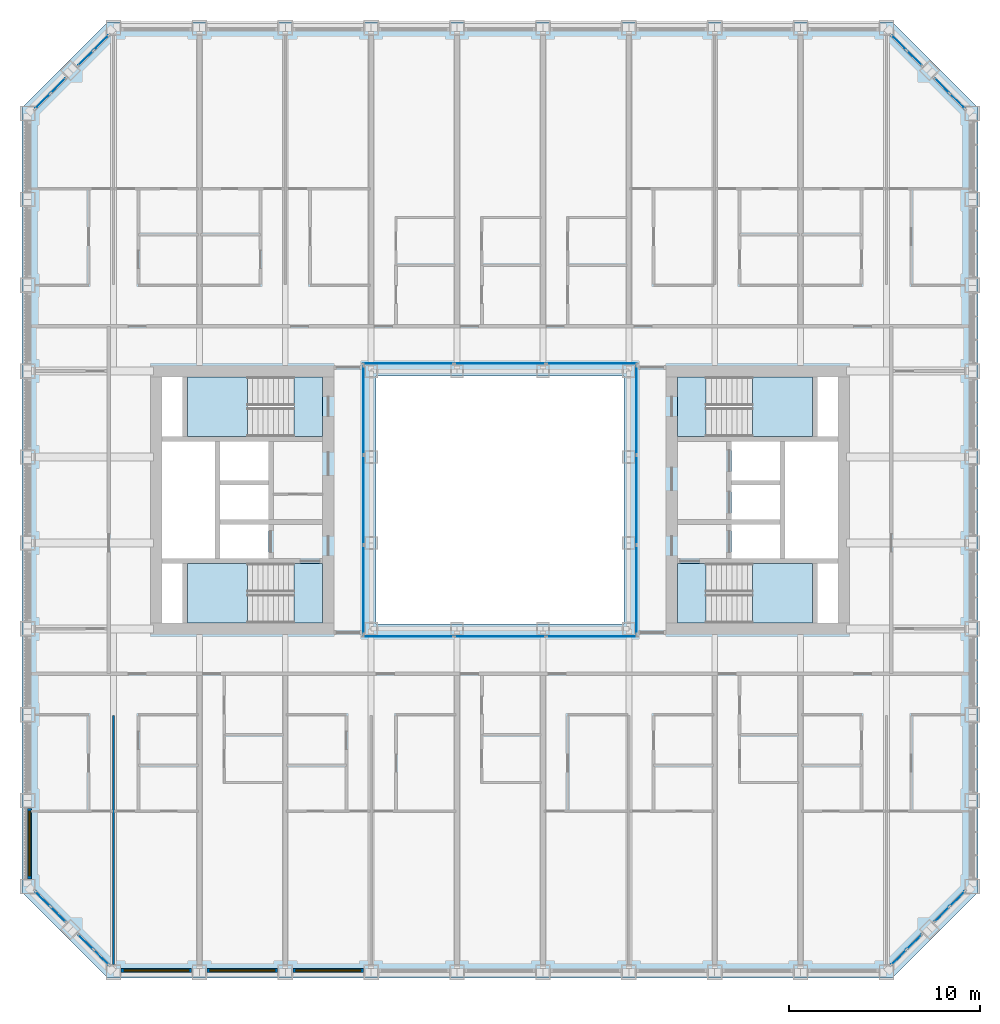
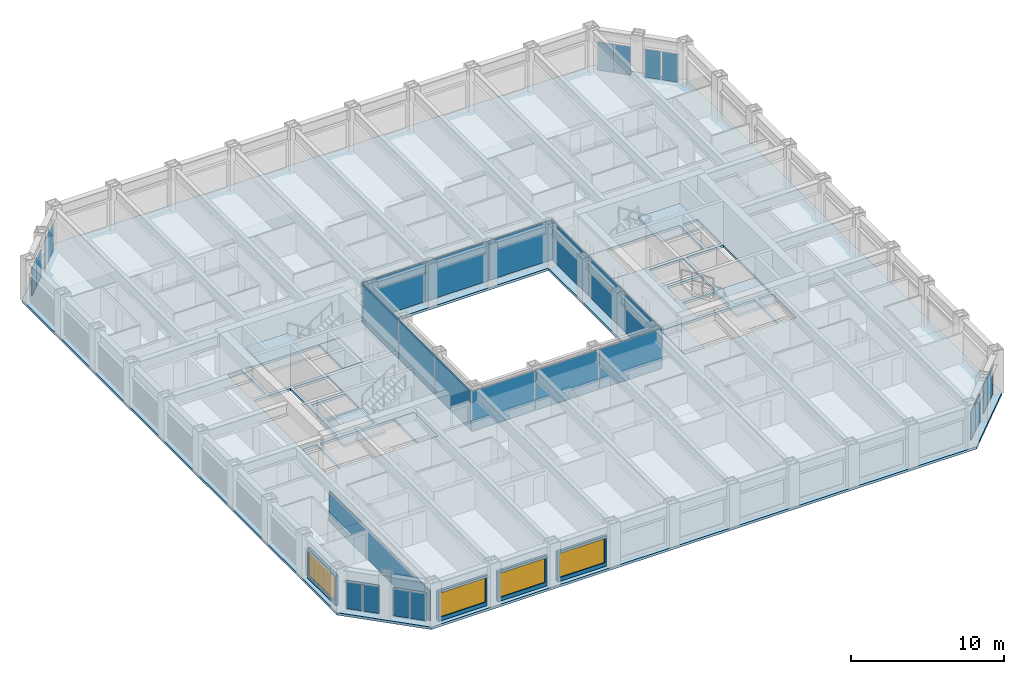
# One storey, part 8 of 21: 28 plates, 9 slabs, 5 walls, 4 windows, 4 openings, 16 elements without a shape of their own.
"""IFC4 building model written with IfcOpenShell, lengths in metres."""

from ifc_helpers import new_model, si_unit, direction, frame, frame_2d, origin, origin_2d, place, context, subcontext, project, spatial, polyline, rectangle, outline, extrude, material, layer, layer_set, type_object, element, fill, aggregate, save


model = new_model("IFC4")

# Units and contexts
model_context = context("Model", 3, precision=1e-05, world=origin(), true_north=direction((0.0, 1.0)))
body_context = subcontext(model_context, "Body", "Model", "MODEL_VIEW")
ifc_project = project(units=[si_unit("LENGTHUNIT", "METRE"), si_unit("AREAUNIT", "SQUARE_METRE"), si_unit("VOLUMEUNIT", "CUBIC_METRE"), si_unit("PLANEANGLEUNIT", "RADIAN"), si_unit("MASSUNIT", "GRAM", prefix="KILO")], contexts=[model_context])

# Site, building, storey
site_placement = place(None, origin())
site = spatial("IfcSite", under=ifc_project, at=site_placement, CompositionType="ELEMENT")
building_placement = place(site_placement, origin())
building = spatial("IfcBuilding", under=site, at=building_placement, Name="Msasa Ring Tower", CompositionType="ELEMENT")
storey_placement = place(building_placement, frame((0.0, 0.0, 37.0)))
storey = spatial("IfcBuildingStorey", under=building, at=storey_placement, Name="L08", CompositionType="ELEMENT", Elevation=37.0)

# Curtain wall, plates
ifc_material_1 = material(Name="Aluminium curtain wall with clear glass", Category="aluminium")
curtain_wall_type_1 = type_object("IfcCurtainWallType", Name="CW-C CHAMFER CORNER CURTAIN WALL", PredefinedType="NOTDEFINED", material=ifc_material_1)
curtain_wall_1_placement = place(storey_placement, origin())
curtain_wall_1 = element("IfcCurtainWall", 1, at=curtain_wall_1_placement, inside=storey, type_object=curtain_wall_type_1, Name="Chamfer corner curtain wall SE L08", PredefinedType="NOTDEFINED")
ifc_material_2 = material(Name="Clear laminated insulating glass unit", Category="glass")
ifc_layer_1 = layer(ifc_material_2, 0.031982421875)
ifc_layer_set_1 = layer_set([ifc_layer_1], Name="CW-C GLASS PANEL 32")
plate_type_1 = type_object("IfcPlateType", Name="CW-C GLASS PANEL 32", PredefinedType="CURTAIN_PANEL", material=ifc_layer_set_1)
plate_1_placement = place(storey_placement, frame((20.896484375, -23.962158203125, 0.06494140625), z_axis=(0.0, 0.0, 1.0), x_axis=(0.707106781187, 0.707106781187, 0.0)))
plate_1 = element("IfcPlate", 2, at=plate_1_placement, type_object=plate_type_1, Name="CW-C panel 1.1", PredefinedType="CURTAIN_PANEL", context=body_context, shape_type="SweptSolid", body=[
    extrude(rectangle(XDim=1.08837890625, YDim=0.031982421875, at=origin_2d()), origin(), (0.0, 0.0, 1.0), 2.2490234375),
])
plate_2_placement = place(storey_placement, frame((21.712158203125, -23.146484375, 0.06494140625), z_axis=(0.0, 0.0, 1.0), x_axis=(0.707106781187, 0.707106781187, 0.0)))
plate_2 = element("IfcPlate", 3, at=plate_2_placement, type_object=plate_type_1, Name="CW-C panel 2.1", PredefinedType="CURTAIN_PANEL", context=body_context, shape_type="SweptSolid", body=[
    extrude(rectangle(XDim=1.08837890625, YDim=0.031982421875, at=origin_2d()), origin(), (0.0, 0.0, 1.0), 2.2490234375),
])
aggregate(curtain_wall_1, [plate_1, plate_2])

curtain_wall_2_placement = place(storey_placement, origin())
curtain_wall_2 = element("IfcCurtainWall", 4, at=curtain_wall_2_placement, inside=storey, type_object=curtain_wall_type_1, Name="Chamfer corner curtain wall SE L08", PredefinedType="NOTDEFINED")
plate_3_placement = place(storey_placement, frame((23.146484375, -21.712158203125, 0.06494140625), z_axis=(0.0, 0.0, 1.0), x_axis=(0.707106781187, 0.707106781187, 0.0)))
plate_3 = element("IfcPlate", 5, at=plate_3_placement, type_object=plate_type_1, Name="CW-C panel 1.1", PredefinedType="CURTAIN_PANEL", context=body_context, shape_type="SweptSolid", body=[
    extrude(rectangle(XDim=1.08837890625, YDim=0.031982421875, at=origin_2d()), origin(), (0.0, 0.0, 1.0), 2.2490234375),
])
plate_4_placement = place(storey_placement, frame((23.962158203125, -20.896484375, 0.06494140625), z_axis=(0.0, 0.0, 1.0), x_axis=(0.707106781187, 0.707106781187, 0.0)))
plate_4 = element("IfcPlate", 6, at=plate_4_placement, type_object=plate_type_1, Name="CW-C panel 2.1", PredefinedType="CURTAIN_PANEL", context=body_context, shape_type="SweptSolid", body=[
    extrude(rectangle(XDim=1.08837890625, YDim=0.031982421875, at=origin_2d()), origin(), (0.0, 0.0, 1.0), 2.2490234375),
])
aggregate(curtain_wall_2, [plate_3, plate_4])

curtain_wall_3_placement = place(storey_placement, origin())
curtain_wall_3 = element("IfcCurtainWall", 7, at=curtain_wall_3_placement, inside=storey, type_object=curtain_wall_type_1, Name="Chamfer corner curtain wall NE L08", PredefinedType="NOTDEFINED")
plate_5_placement = place(storey_placement, frame((21.712158203125, 23.146484375, 0.06494140625), z_axis=(0.0, 0.0, 1.0), x_axis=(-0.707106781187, 0.707106781187, 0.0)))
plate_5 = element("IfcPlate", 8, at=plate_5_placement, type_object=plate_type_1, Name="CW-C panel 1.1", PredefinedType="CURTAIN_PANEL", context=body_context, shape_type="SweptSolid", body=[
    extrude(rectangle(XDim=1.08837890625, YDim=0.031982421875, at=origin_2d()), origin(), (0.0, 0.0, 1.0), 2.2490234375),
])
plate_6_placement = place(storey_placement, frame((20.896484375, 23.962158203125, 0.06494140625), z_axis=(0.0, 0.0, 1.0), x_axis=(-0.707106781187, 0.707106781187, 0.0)))
plate_6 = element("IfcPlate", 9, at=plate_6_placement, type_object=plate_type_1, Name="CW-C panel 2.1", PredefinedType="CURTAIN_PANEL", context=body_context, shape_type="SweptSolid", body=[
    extrude(rectangle(XDim=1.08837890625, YDim=0.031982421875, at=origin_2d()), origin(), (0.0, 0.0, 1.0), 2.2490234375),
])
aggregate(curtain_wall_3, [plate_5, plate_6])

curtain_wall_4_placement = place(storey_placement, origin())
curtain_wall_4 = element("IfcCurtainWall", 10, at=curtain_wall_4_placement, inside=storey, type_object=curtain_wall_type_1, Name="Chamfer corner curtain wall NE L08", PredefinedType="NOTDEFINED")
plate_7_placement = place(storey_placement, frame((23.962158203125, 20.896484375, 0.06494140625), z_axis=(0.0, 0.0, 1.0), x_axis=(-0.707106781187, 0.707106781187, 0.0)))
plate_7 = element("IfcPlate", 11, at=plate_7_placement, type_object=plate_type_1, Name="CW-C panel 1.1", PredefinedType="CURTAIN_PANEL", context=body_context, shape_type="SweptSolid", body=[
    extrude(rectangle(XDim=1.08837890625, YDim=0.031982421875, at=origin_2d()), origin(), (0.0, 0.0, 1.0), 2.2490234375),
])
plate_8_placement = place(storey_placement, frame((23.146484375, 21.712158203125, 0.06494140625), z_axis=(0.0, 0.0, 1.0), x_axis=(-0.707106781187, 0.707106781187, 0.0)))
plate_8 = element("IfcPlate", 12, at=plate_8_placement, type_object=plate_type_1, Name="CW-C panel 2.1", PredefinedType="CURTAIN_PANEL", context=body_context, shape_type="SweptSolid", body=[
    extrude(rectangle(XDim=1.08837890625, YDim=0.031982421875, at=origin_2d()), origin(), (0.0, 0.0, 1.0), 2.2490234375),
])
aggregate(curtain_wall_4, [plate_7, plate_8])

curtain_wall_5_placement = place(storey_placement, origin())
curtain_wall_5 = element("IfcCurtainWall", 13, at=curtain_wall_5_placement, inside=storey, type_object=curtain_wall_type_1, Name="Chamfer corner curtain wall NW L08", PredefinedType="NOTDEFINED")
plate_9_placement = place(storey_placement, frame((-23.146484375, 21.712158203125, 0.06494140625), z_axis=(0.0, 0.0, 1.0), x_axis=(-0.707106781187, -0.707106781187, 0.0)))
plate_9 = element("IfcPlate", 14, at=plate_9_placement, type_object=plate_type_1, Name="CW-C panel 1.1", PredefinedType="CURTAIN_PANEL", context=body_context, shape_type="SweptSolid", body=[
    extrude(rectangle(XDim=1.08837890625, YDim=0.031982421875, at=origin_2d()), origin(), (0.0, 0.0, 1.0), 2.2490234375),
])
plate_10_placement = place(storey_placement, frame((-23.962158203125, 20.896484375, 0.06494140625), z_axis=(0.0, 0.0, 1.0), x_axis=(-0.707106781187, -0.707106781187, 0.0)))
plate_10 = element("IfcPlate", 15, at=plate_10_placement, type_object=plate_type_1, Name="CW-C panel 2.1", PredefinedType="CURTAIN_PANEL", context=body_context, shape_type="SweptSolid", body=[
    extrude(rectangle(XDim=1.08837890625, YDim=0.031982421875, at=origin_2d()), origin(), (0.0, 0.0, 1.0), 2.2490234375),
])
aggregate(curtain_wall_5, [plate_9, plate_10])

curtain_wall_6_placement = place(storey_placement, origin())
curtain_wall_6 = element("IfcCurtainWall", 16, at=curtain_wall_6_placement, inside=storey, type_object=curtain_wall_type_1, Name="Chamfer corner curtain wall NW L08", PredefinedType="NOTDEFINED")
plate_11_placement = place(storey_placement, frame((-20.896484375, 23.962158203125, 0.06494140625), z_axis=(0.0, 0.0, 1.0), x_axis=(-0.707106781187, -0.707106781187, 0.0)))
plate_11 = element("IfcPlate", 17, at=plate_11_placement, type_object=plate_type_1, Name="CW-C panel 1.1", PredefinedType="CURTAIN_PANEL", context=body_context, shape_type="SweptSolid", body=[
    extrude(rectangle(XDim=1.08837890625, YDim=0.031982421875, at=origin_2d()), origin(), (0.0, 0.0, 1.0), 2.2490234375),
])
plate_12_placement = place(storey_placement, frame((-21.712158203125, 23.146484375, 0.06494140625), z_axis=(0.0, 0.0, 1.0), x_axis=(-0.707106781187, -0.707106781187, 0.0)))
plate_12 = element("IfcPlate", 18, at=plate_12_placement, type_object=plate_type_1, Name="CW-C panel 2.1", PredefinedType="CURTAIN_PANEL", context=body_context, shape_type="SweptSolid", body=[
    extrude(rectangle(XDim=1.08837890625, YDim=0.031982421875, at=origin_2d()), origin(), (0.0, 0.0, 1.0), 2.2490234375),
])
aggregate(curtain_wall_6, [plate_11, plate_12])

curtain_wall_7_placement = place(storey_placement, origin())
curtain_wall_7 = element("IfcCurtainWall", 19, at=curtain_wall_7_placement, inside=storey, type_object=curtain_wall_type_1, Name="Chamfer corner curtain wall SW L08", PredefinedType="NOTDEFINED")
plate_13_placement = place(storey_placement, frame((-23.962158203125, -20.896484375, 0.06494140625), z_axis=(0.0, 0.0, 1.0), x_axis=(0.707106781187, -0.707106781187, 0.0)))
plate_13 = element("IfcPlate", 20, at=plate_13_placement, type_object=plate_type_1, Name="CW-C panel 1.1", PredefinedType="CURTAIN_PANEL", context=body_context, shape_type="SweptSolid", body=[
    extrude(rectangle(XDim=1.08837890625, YDim=0.031982421875, at=origin_2d()), origin(), (0.0, 0.0, 1.0), 2.2490234375),
])
plate_14_placement = place(storey_placement, frame((-23.146484375, -21.712158203125, 0.06494140625), z_axis=(0.0, 0.0, 1.0), x_axis=(0.707106781187, -0.707106781187, 0.0)))
plate_14 = element("IfcPlate", 21, at=plate_14_placement, type_object=plate_type_1, Name="CW-C panel 2.1", PredefinedType="CURTAIN_PANEL", context=body_context, shape_type="SweptSolid", body=[
    extrude(rectangle(XDim=1.08837890625, YDim=0.031982421875, at=origin_2d()), origin(), (0.0, 0.0, 1.0), 2.2490234375),
])
aggregate(curtain_wall_7, [plate_13, plate_14])

curtain_wall_8_placement = place(storey_placement, origin())
curtain_wall_8 = element("IfcCurtainWall", 22, at=curtain_wall_8_placement, inside=storey, type_object=curtain_wall_type_1, Name="Chamfer corner curtain wall SW L08", PredefinedType="NOTDEFINED")
plate_15_placement = place(storey_placement, frame((-21.712158203125, -23.146484375, 0.06494140625), z_axis=(0.0, 0.0, 1.0), x_axis=(0.707106781187, -0.707106781187, 0.0)))
plate_15 = element("IfcPlate", 23, at=plate_15_placement, type_object=plate_type_1, Name="CW-C panel 1.1", PredefinedType="CURTAIN_PANEL", context=body_context, shape_type="SweptSolid", body=[
    extrude(rectangle(XDim=1.08837890625, YDim=0.031982421875, at=origin_2d()), origin(), (0.0, 0.0, 1.0), 2.2490234375),
])
plate_16_placement = place(storey_placement, frame((-20.896484375, -23.962158203125, 0.06494140625), z_axis=(0.0, 0.0, 1.0), x_axis=(0.707106781187, -0.707106781187, 0.0)))
plate_16 = element("IfcPlate", 24, at=plate_16_placement, type_object=plate_type_1, Name="CW-C panel 2.1", PredefinedType="CURTAIN_PANEL", context=body_context, shape_type="SweptSolid", body=[
    extrude(rectangle(XDim=1.08837890625, YDim=0.031982421875, at=origin_2d()), origin(), (0.0, 0.0, 1.0), 2.2490234375),
])
aggregate(curtain_wall_8, [plate_15, plate_16])

ifc_material_3 = material(Name="Aluminium curtain wall with clear glass", Category="aluminium")
curtain_wall_type_2 = type_object("IfcCurtainWallType", Name="CW-W LIGHT WELL CURTAIN WALL", PredefinedType="NOTDEFINED", material=ifc_material_3)
curtain_wall_9_placement = place(storey_placement, origin())
curtain_wall_9 = element("IfcCurtainWall", 25, at=curtain_wall_9_placement, inside=storey, type_object=curtain_wall_type_2, Name="Light well curtain wall N L08", PredefinedType="NOTDEFINED")
ifc_material_4 = material(Name="Clear laminated insulating glass unit", Category="glass")
ifc_layer_2 = layer(ifc_material_4, 0.028076171875)
ifc_layer_set_2 = layer_set([ifc_layer_2], Name="CW-W GLASS PANEL 28")
plate_type_2 = type_object("IfcPlateType", Name="CW-W GLASS PANEL 28", PredefinedType="CURTAIN_PANEL", material=ifc_layer_set_2)
plate_17_placement = place(storey_placement, frame((-4.804931640625, 7.14990234375, 0.06005859375), z_axis=(0.0, 0.0, 1.0), x_axis=(1.0, 0.0, 0.0)))
plate_17 = element("IfcPlate", 26, at=plate_17_placement, type_object=plate_type_2, Name="CW-W panel 1.1", PredefinedType="CURTAIN_PANEL", context=body_context, shape_type="SweptSolid", body=[
    extrude(rectangle(XDim=4.72998046875, YDim=0.028076171875, at=origin_2d()), origin(), (0.0, 0.0, 1.0), 3.179931640625),
])
plate_18_placement = place(storey_placement, frame((0.0, 7.14990234375, 0.06005859375), z_axis=(0.0, 0.0, 1.0), x_axis=(1.0, 0.0, 0.0)))
plate_18 = element("IfcPlate", 27, at=plate_18_placement, type_object=plate_type_2, Name="CW-W panel 2.1", PredefinedType="CURTAIN_PANEL", context=body_context, shape_type="SweptSolid", body=[
    extrude(rectangle(XDim=4.760009765625, YDim=0.028076171875, at=origin_2d()), origin(), (0.0, 0.0, 1.0), 3.179931640625),
])
plate_19_placement = place(storey_placement, frame((4.804931640625, 7.14990234375, 0.06005859375), z_axis=(0.0, 0.0, 1.0), x_axis=(1.0, 0.0, 0.0)))
plate_19 = element("IfcPlate", 28, at=plate_19_placement, type_object=plate_type_2, Name="CW-W panel 3.1", PredefinedType="CURTAIN_PANEL", context=body_context, shape_type="SweptSolid", body=[
    extrude(rectangle(XDim=4.72998046875, YDim=0.028076171875, at=origin_2d()), origin(), (0.0, 0.0, 1.0), 3.179931640625),
])
aggregate(curtain_wall_9, [plate_17, plate_18, plate_19])

curtain_wall_10_placement = place(storey_placement, origin())
curtain_wall_10 = element("IfcCurtainWall", 29, at=curtain_wall_10_placement, inside=storey, type_object=curtain_wall_type_2, Name="Light well curtain wall S L08", PredefinedType="NOTDEFINED")
plate_20_placement = place(storey_placement, frame((-4.804931640625, -7.14990234375, 0.06005859375), z_axis=(0.0, 0.0, 1.0), x_axis=(1.0, 0.0, 0.0)))
plate_20 = element("IfcPlate", 30, at=plate_20_placement, type_object=plate_type_2, Name="CW-W panel 1.1", PredefinedType="CURTAIN_PANEL", context=body_context, shape_type="SweptSolid", body=[
    extrude(rectangle(XDim=4.72998046875, YDim=0.028076171875, at=origin_2d()), origin(), (0.0, 0.0, 1.0), 3.179931640625),
])
plate_21_placement = place(storey_placement, frame((0.0, -7.14990234375, 0.06005859375), z_axis=(0.0, 0.0, 1.0), x_axis=(1.0, 0.0, 0.0)))
plate_21 = element("IfcPlate", 31, at=plate_21_placement, type_object=plate_type_2, Name="CW-W panel 2.1", PredefinedType="CURTAIN_PANEL", context=body_context, shape_type="SweptSolid", body=[
    extrude(rectangle(XDim=4.760009765625, YDim=0.028076171875, at=origin_2d()), origin(), (0.0, 0.0, 1.0), 3.179931640625),
])
plate_22_placement = place(storey_placement, frame((4.804931640625, -7.14990234375, 0.06005859375), z_axis=(0.0, 0.0, 1.0), x_axis=(1.0, 0.0, 0.0)))
plate_22 = element("IfcPlate", 32, at=plate_22_placement, type_object=plate_type_2, Name="CW-W panel 3.1", PredefinedType="CURTAIN_PANEL", context=body_context, shape_type="SweptSolid", body=[
    extrude(rectangle(XDim=4.72998046875, YDim=0.028076171875, at=origin_2d()), origin(), (0.0, 0.0, 1.0), 3.179931640625),
])
aggregate(curtain_wall_10, [plate_20, plate_21, plate_22])

curtain_wall_11_placement = place(storey_placement, origin())
curtain_wall_11 = element("IfcCurtainWall", 33, at=curtain_wall_11_placement, inside=storey, type_object=curtain_wall_type_2, Name="Light well curtain wall E L08", PredefinedType="NOTDEFINED")
plate_23_placement = place(storey_placement, frame((7.14990234375, -4.6982421875, 0.06005859375), z_axis=(0.0, 0.0, 1.0), x_axis=(0.0, 1.0, 0.0)))
plate_23 = element("IfcPlate", 34, at=plate_23_placement, type_object=plate_type_2, Name="CW-W panel 1.1", PredefinedType="CURTAIN_PANEL", context=body_context, shape_type="SweptSolid", body=[
    extrude(rectangle(XDim=4.623291015625, YDim=0.028076171875, at=origin_2d()), origin(), (0.0, 0.0, 1.0), 3.179931640625),
])
plate_24_placement = place(storey_placement, frame((7.14990234375, 0.0, 0.06005859375), z_axis=(0.0, 0.0, 1.0), x_axis=(0.0, 1.0, 0.0)))
plate_24 = element("IfcPlate", 35, at=plate_24_placement, type_object=plate_type_2, Name="CW-W panel 2.1", PredefinedType="CURTAIN_PANEL", context=body_context, shape_type="SweptSolid", body=[
    extrude(rectangle(XDim=4.6533203125, YDim=0.028076171875, at=origin_2d()), origin(), (0.0, 0.0, 1.0), 3.179931640625),
])
plate_25_placement = place(storey_placement, frame((7.14990234375, 4.6982421875, 0.06005859375), z_axis=(0.0, 0.0, 1.0), x_axis=(0.0, 1.0, 0.0)))
plate_25 = element("IfcPlate", 36, at=plate_25_placement, type_object=plate_type_2, Name="CW-W panel 3.1", PredefinedType="CURTAIN_PANEL", context=body_context, shape_type="SweptSolid", body=[
    extrude(rectangle(XDim=4.623291015625, YDim=0.028076171875, at=origin_2d()), origin(), (0.0, 0.0, 1.0), 3.179931640625),
])
aggregate(curtain_wall_11, [plate_23, plate_24, plate_25])

curtain_wall_12_placement = place(storey_placement, origin())
curtain_wall_12 = element("IfcCurtainWall", 37, at=curtain_wall_12_placement, inside=storey, type_object=curtain_wall_type_2, Name="Light well curtain wall W L08", PredefinedType="NOTDEFINED")
plate_26_placement = place(storey_placement, frame((-7.14990234375, -4.6982421875, 0.06005859375), z_axis=(0.0, 0.0, 1.0), x_axis=(0.0, 1.0, 0.0)))
plate_26 = element("IfcPlate", 38, at=plate_26_placement, type_object=plate_type_2, Name="CW-W panel 1.1", PredefinedType="CURTAIN_PANEL", context=body_context, shape_type="SweptSolid", body=[
    extrude(rectangle(XDim=4.623291015625, YDim=0.028076171875, at=origin_2d()), origin(), (0.0, 0.0, 1.0), 3.179931640625),
])
plate_27_placement = place(storey_placement, frame((-7.14990234375, 0.0, 0.06005859375), z_axis=(0.0, 0.0, 1.0), x_axis=(0.0, 1.0, 0.0)))
plate_27 = element("IfcPlate", 39, at=plate_27_placement, type_object=plate_type_2, Name="CW-W panel 2.1", PredefinedType="CURTAIN_PANEL", context=body_context, shape_type="SweptSolid", body=[
    extrude(rectangle(XDim=4.6533203125, YDim=0.028076171875, at=origin_2d()), origin(), (0.0, 0.0, 1.0), 3.179931640625),
])
plate_28_placement = place(storey_placement, frame((-7.14990234375, 4.6982421875, 0.06005859375), z_axis=(0.0, 0.0, 1.0), x_axis=(0.0, 1.0, 0.0)))
plate_28 = element("IfcPlate", 40, at=plate_28_placement, type_object=plate_type_2, Name="CW-W panel 3.1", PredefinedType="CURTAIN_PANEL", context=body_context, shape_type="SweptSolid", body=[
    extrude(rectangle(XDim=4.623291015625, YDim=0.028076171875, at=origin_2d()), origin(), (0.0, 0.0, 1.0), 3.179931640625),
])
aggregate(curtain_wall_12, [plate_26, plate_27, plate_28])

# Stair, slabs
ifc_material_5 = material(Name="Concrete C40/50", Category="concrete")
stair_type = type_object("IfcStairType", Name="STC CORE STAIR 20 RISERS 175", PredefinedType="HALF_TURN_STAIR", material=ifc_material_5)
stair_1_placement = place(storey_placement, origin())
stair_1 = element("IfcStair", 41, at=stair_1_placement, inside=storey, type_object=stair_type, Name="Core stair SEA L08", PredefinedType="HALF_TURN_STAIR")
ifc_material_6 = material(Name="Concrete C40/50", Category="concrete")
ifc_layer_3 = layer(ifc_material_6, 0.199951171875)
ifc_layer_set_3 = layer_set([ifc_layer_3], Name="LD1 CORE STAIR LANDING 200")
slab_type_1 = type_object("IfcSlabType", Name="LD1 CORE STAIR LANDING 200", PredefinedType="LANDING", material=ifc_layer_set_3)
slab_1_placement = place(storey_placement, frame((0.0, 0.0, -0.199951171875)))
slab_1 = element("IfcSlab", 42, at=slab_1_placement, type_object=slab_type_1, Name="SEA landing 1", PredefinedType="LANDING", context=body_context, shape_type="SweptSolid", body=[
    extrude(outline(polyline([(9.300048828125, -6.449951171875), (10.800048828125, -6.449951171875), (10.800048828125, -3.324951171875), (9.300048828125, -3.324951171875), (9.300048828125, -6.449951171875)])), origin(), (0.0, 0.0, 1.0), 0.199951171875),
])
slab_2_placement = place(storey_placement, frame((0.0, 0.0, 1.550048828125)))
slab_2 = element("IfcSlab", 43, at=slab_2_placement, type_object=slab_type_1, Name="SEA landing 2", PredefinedType="LANDING", context=body_context, shape_type="SweptSolid", body=[
    extrude(outline(polyline([(13.22998046875, -6.449951171875), (16.375, -6.449951171875), (16.375, -3.324951171875), (13.22998046875, -3.324951171875), (13.22998046875, -6.449951171875)])), origin(), (0.0, 0.0, 1.0), 0.199951171875),
])
aggregate(stair_1, [slab_1, slab_2])

stair_2_placement = place(storey_placement, origin())
stair_2 = element("IfcStair", 44, at=stair_2_placement, inside=storey, type_object=stair_type, Name="Core stair SEB L08", PredefinedType="HALF_TURN_STAIR")
slab_3_placement = place(storey_placement, frame((0.0, 0.0, -0.199951171875)))
slab_3 = element("IfcSlab", 45, at=slab_3_placement, type_object=slab_type_1, Name="SEB landing 1", PredefinedType="LANDING", context=body_context, shape_type="SweptSolid", body=[
    extrude(outline(polyline([(9.300048828125, 3.324951171875), (10.800048828125, 3.324951171875), (10.800048828125, 6.449951171875), (9.300048828125, 6.449951171875), (9.300048828125, 3.324951171875)])), origin(), (0.0, 0.0, 1.0), 0.199951171875),
])
slab_4_placement = place(storey_placement, frame((0.0, 0.0, 1.550048828125)))
slab_4 = element("IfcSlab", 46, at=slab_4_placement, type_object=slab_type_1, Name="SEB landing 2", PredefinedType="LANDING", context=body_context, shape_type="SweptSolid", body=[
    extrude(outline(polyline([(13.22998046875, 3.324951171875), (16.375, 3.324951171875), (16.375, 6.449951171875), (13.22998046875, 6.449951171875), (13.22998046875, 3.324951171875)])), origin(), (0.0, 0.0, 1.0), 0.199951171875),
])
aggregate(stair_2, [slab_3, slab_4])

stair_3_placement = place(storey_placement, origin())
stair_3 = element("IfcStair", 47, at=stair_3_placement, inside=storey, type_object=stair_type, Name="Core stair SWA L08", PredefinedType="HALF_TURN_STAIR")
slab_5_placement = place(storey_placement, frame((0.0, 0.0, -0.199951171875)))
slab_5 = element("IfcSlab", 48, at=slab_5_placement, type_object=slab_type_1, Name="SWA landing 1", PredefinedType="LANDING", context=body_context, shape_type="SweptSolid", body=[
    extrude(outline(polyline([(-10.800048828125, -6.449951171875), (-9.300048828125, -6.449951171875), (-9.300048828125, -3.324951171875), (-10.800048828125, -3.324951171875), (-10.800048828125, -6.449951171875)])), origin(), (0.0, 0.0, 1.0), 0.199951171875),
])
slab_6_placement = place(storey_placement, frame((0.0, 0.0, 1.550048828125)))
slab_6 = element("IfcSlab", 49, at=slab_6_placement, type_object=slab_type_1, Name="SWA landing 2", PredefinedType="LANDING", context=body_context, shape_type="SweptSolid", body=[
    extrude(outline(polyline([(-16.375, -6.449951171875), (-13.22998046875, -6.449951171875), (-13.22998046875, -3.324951171875), (-16.375, -3.324951171875), (-16.375, -6.449951171875)])), origin(), (0.0, 0.0, 1.0), 0.199951171875),
])
aggregate(stair_3, [slab_5, slab_6])

stair_4_placement = place(storey_placement, origin())
stair_4 = element("IfcStair", 50, at=stair_4_placement, inside=storey, type_object=stair_type, Name="Core stair SWB L08", PredefinedType="HALF_TURN_STAIR")
slab_7_placement = place(storey_placement, frame((0.0, 0.0, -0.199951171875)))
slab_7 = element("IfcSlab", 51, at=slab_7_placement, type_object=slab_type_1, Name="SWB landing 1", PredefinedType="LANDING", context=body_context, shape_type="SweptSolid", body=[
    extrude(outline(polyline([(-10.800048828125, 3.324951171875), (-9.300048828125, 3.324951171875), (-9.300048828125, 6.449951171875), (-10.800048828125, 6.449951171875), (-10.800048828125, 3.324951171875)])), origin(), (0.0, 0.0, 1.0), 0.199951171875),
])
slab_8_placement = place(storey_placement, frame((0.0, 0.0, 1.550048828125)))
slab_8 = element("IfcSlab", 52, at=slab_8_placement, type_object=slab_type_1, Name="SWB landing 2", PredefinedType="LANDING", context=body_context, shape_type="SweptSolid", body=[
    extrude(outline(polyline([(-16.375, 3.324951171875), (-13.22998046875, 3.324951171875), (-13.22998046875, 6.449951171875), (-16.375, 6.449951171875), (-16.375, 3.324951171875)])), origin(), (0.0, 0.0, 1.0), 0.199951171875),
])
aggregate(stair_4, [slab_7, slab_8])

# Slab
ifc_material_7 = material(Name="Concrete C40/50", Category="concrete")
ifc_layer_4 = layer(ifc_material_7, 0.199951171875)
ifc_layer_set_4 = layer_set([ifc_layer_4], Name="S3 RESIDENCE FLOOR 200")
slab_type_2 = type_object("IfcSlabType", Name="S3 RESIDENCE FLOOR 200", PredefinedType="FLOOR", material=ifc_layer_set_4)
slab_9_placement = place(storey_placement, frame((0.0, 0.0, -0.199951171875)))
element("IfcSlab", 53, at=slab_9_placement, inside=storey, type_object=slab_type_2, Name="Floor slab L08", PredefinedType="FLOOR", context=body_context, shape_type="SweptSolid", body=[
    extrude(outline(polyline([(-20.550048828125, -25.050048828125), (20.550048828125, -25.050048828125), (25.050048828125, -20.550048828125), (25.050048828125, 20.550048828125), (20.550048828125, 25.050048828125), (-20.550048828125, 25.050048828125), (-25.050048828125, 20.550048828125), (-25.050048828125, -20.550048828125), (-20.550048828125, -25.050048828125)]), holes=[polyline([(-6.5, -6.5), (6.5, -6.5), (6.5, 6.5), (-6.5, 6.5), (-6.5, -6.5)]), polyline([(9.300048828125, -6.449951171875), (16.375, -6.449951171875), (16.375, -3.324951171875), (9.300048828125, -3.324951171875), (9.300048828125, -6.449951171875)]), polyline([(9.300048828125, 3.324951171875), (16.375, 3.324951171875), (16.375, 6.449951171875), (9.300048828125, 6.449951171875), (9.300048828125, 3.324951171875)]), polyline([(12.125, -3.074951171875), (14.675048828125, -3.074951171875), (14.675048828125, -1.27490234375), (12.125, -1.27490234375), (12.125, -3.074951171875)]), polyline([(12.125, -1.02490234375), (14.675048828125, -1.02490234375), (14.675048828125, 0.77490234375), (12.125, 0.77490234375), (12.125, -1.02490234375)]), polyline([(12.125, 1.02490234375), (14.675048828125, 1.02490234375), (14.675048828125, 3.074951171875), (12.125, 3.074951171875), (12.125, 1.02490234375)]), polyline([(16.625, -6.449951171875), (17.699951171875, -6.449951171875), (17.699951171875, -3.324951171875), (16.625, -3.324951171875), (16.625, -6.449951171875)]), polyline([(16.625, 3.324951171875), (17.699951171875, 3.324951171875), (17.699951171875, 6.449951171875), (16.625, 6.449951171875), (16.625, 3.324951171875)]), polyline([(14.925048828125, -3.074951171875), (17.699951171875, -3.074951171875), (17.699951171875, 3.074951171875), (14.925048828125, 3.074951171875), (14.925048828125, -3.074951171875)]), polyline([(-16.375, -6.449951171875), (-9.300048828125, -6.449951171875), (-9.300048828125, -3.324951171875), (-16.375, -3.324951171875), (-16.375, -6.449951171875)]), polyline([(-16.375, 3.324951171875), (-9.300048828125, 3.324951171875), (-9.300048828125, 6.449951171875), (-16.375, 6.449951171875), (-16.375, 3.324951171875)]), polyline([(-14.675048828125, -3.074951171875), (-12.125, -3.074951171875), (-12.125, -1.27490234375), (-14.675048828125, -1.27490234375), (-14.675048828125, -3.074951171875)]), polyline([(-14.675048828125, -1.02490234375), (-12.125, -1.02490234375), (-12.125, 0.77490234375), (-14.675048828125, 0.77490234375), (-14.675048828125, -1.02490234375)]), polyline([(-14.675048828125, 1.02490234375), (-12.125, 1.02490234375), (-12.125, 3.074951171875), (-14.675048828125, 3.074951171875), (-14.675048828125, 1.02490234375)]), polyline([(-17.699951171875, -6.449951171875), (-16.625, -6.449951171875), (-16.625, -3.324951171875), (-17.699951171875, -3.324951171875), (-17.699951171875, -6.449951171875)]), polyline([(-17.699951171875, 3.324951171875), (-16.625, 3.324951171875), (-16.625, 6.449951171875), (-17.699951171875, 6.449951171875), (-17.699951171875, 3.324951171875)]), polyline([(-17.699951171875, -3.074951171875), (-14.925048828125, -3.074951171875), (-14.925048828125, 3.074951171875), (-17.699951171875, 3.074951171875), (-17.699951171875, -3.074951171875)])]), origin(), (0.0, 0.0, 1.0), 0.199951171875),
])

# Wall, opening, window
ifc_material_8 = material(Name="Terracotta rainscreen on blockwork", Category="masonry")
ifc_layer_5 = layer(ifc_material_8, 0.199951171875)
ifc_layer_set_5 = layer_set([ifc_layer_5], Name="FW1 TERRACOTTA-LINED INFILL BAY WALL 200")
wall_type_1 = type_object("IfcWallType", Name="FW1 TERRACOTTA-LINED INFILL BAY WALL 200", PredefinedType="SOLIDWALL", material=ifc_layer_set_5)
wall_1_placement = place(storey_placement, frame((-19.844970703125, -24.64990234375, 0.0), z_axis=(0.0, 0.0, 1.0), x_axis=(1.0, 0.0, 0.0)))
wall_1 = element("IfcWall", 54, at=wall_1_placement, inside=storey, type_object=wall_type_1, Name="Infill bay wall S L08 00", PredefinedType="SOLIDWALL", context=body_context, shape_type="SweptSolid", body=[
    extrude(rectangle(XDim=3.68994140625, YDim=0.199951171875, at=frame_2d((1.844970703125, 0.0))), origin(), (0.0, 0.0, 1.0), 2.37890625),
])
opening_1_placement = place(wall_1_placement, frame((0.14501953125, 0.0, 0.300048828125)))
opening_1 = element("IfcOpeningElement", 55, at=opening_1_placement, cuts=wall_1, Name="Opening WN1", PredefinedType="OPENING", context=body_context, shape_type="SweptSolid", body=[
    extrude(rectangle(XDim=3.39990234375, YDim=1.928955078125, at=frame_2d((1.699951171875, 0.96435546875))), frame((0.0, 0.10986328125, 0.0), z_axis=(0.0, -1.0, 0.0), x_axis=(1.0, 0.0, 0.0)), (0.0, 0.0, 1.0), 0.219970703125),
])
ifc_material_9 = material(Name="Aluminium frame with clear glass", Category="aluminium")
window_type = type_object("IfcWindowType", Name="WN1 RESIDENCE WINDOW 3400x1929", PartitioningType="SINGLE_PANEL", PredefinedType="WINDOW", material=ifc_material_9)
window_1_placement = place(opening_1_placement, origin())
window_1 = element("IfcWindow", 56, at=window_1_placement, inside=storey, type_object=window_type, Name="Window S L08 00", OverallHeight=1.928955078125, OverallWidth=3.39990234375, PartitioningType="SINGLE_PANEL", PredefinedType="WINDOW", context=body_context, shape_type="SweptSolid", body=[
    extrude(rectangle(XDim=3.39990234375, YDim=1.928955078125, at=frame_2d((1.699951171875, 0.96435546875))), frame((0.0, 0.030029296875, 0.0), z_axis=(0.0, -1.0, 0.0), x_axis=(1.0, 0.0, 0.0)), (0.0, 0.0, 1.0), 0.06005859375),
])
fill(opening_1, window_1)

wall_2_placement = place(storey_placement, frame((-15.344970703125, -24.64990234375, 0.0), z_axis=(0.0, 0.0, 1.0), x_axis=(1.0, 0.0, 0.0)))
wall_2 = element("IfcWall", 57, at=wall_2_placement, inside=storey, type_object=wall_type_1, Name="Infill bay wall S L08 01", PredefinedType="SOLIDWALL", context=body_context, shape_type="SweptSolid", body=[
    extrude(rectangle(XDim=3.68994140625, YDim=0.199951171875, at=frame_2d((1.844970703125, 0.0))), origin(), (0.0, 0.0, 1.0), 2.37890625),
])
opening_2_placement = place(wall_2_placement, frame((0.14501953125, 0.0, 0.300048828125)))
opening_2 = element("IfcOpeningElement", 58, at=opening_2_placement, cuts=wall_2, Name="Opening WN1", PredefinedType="OPENING", context=body_context, shape_type="SweptSolid", body=[
    extrude(rectangle(XDim=3.39990234375, YDim=1.928955078125, at=frame_2d((1.699951171875, 0.96435546875))), frame((0.0, 0.10986328125, 0.0), z_axis=(0.0, -1.0, 0.0), x_axis=(1.0, 0.0, 0.0)), (0.0, 0.0, 1.0), 0.219970703125),
])
window_2_placement = place(opening_2_placement, origin())
window_2 = element("IfcWindow", 59, at=window_2_placement, inside=storey, type_object=window_type, Name="Window S L08 01", OverallHeight=1.928955078125, OverallWidth=3.39990234375, PartitioningType="SINGLE_PANEL", PredefinedType="WINDOW", context=body_context, shape_type="SweptSolid", body=[
    extrude(rectangle(XDim=3.39990234375, YDim=1.928955078125, at=frame_2d((1.699951171875, 0.96435546875))), frame((0.0, 0.030029296875, 0.0), z_axis=(0.0, -1.0, 0.0), x_axis=(1.0, 0.0, 0.0)), (0.0, 0.0, 1.0), 0.06005859375),
])
fill(opening_2, window_2)

wall_3_placement = place(storey_placement, frame((-10.844970703125, -24.64990234375, 0.0), z_axis=(0.0, 0.0, 1.0), x_axis=(1.0, 0.0, 0.0)))
wall_3 = element("IfcWall", 60, at=wall_3_placement, inside=storey, type_object=wall_type_1, Name="Infill bay wall S L08 02", PredefinedType="SOLIDWALL", context=body_context, shape_type="SweptSolid", body=[
    extrude(rectangle(XDim=3.68994140625, YDim=0.199951171875, at=frame_2d((1.844970703125, 0.0))), origin(), (0.0, 0.0, 1.0), 2.37890625),
])
opening_3_placement = place(wall_3_placement, frame((0.14501953125, 0.0, 0.300048828125)))
opening_3 = element("IfcOpeningElement", 61, at=opening_3_placement, cuts=wall_3, Name="Opening WN1", PredefinedType="OPENING", context=body_context, shape_type="SweptSolid", body=[
    extrude(rectangle(XDim=3.39990234375, YDim=1.928955078125, at=frame_2d((1.699951171875, 0.96435546875))), frame((0.0, 0.10986328125, 0.0), z_axis=(0.0, -1.0, 0.0), x_axis=(1.0, 0.0, 0.0)), (0.0, 0.0, 1.0), 0.219970703125),
])
window_3_placement = place(opening_3_placement, origin())
window_3 = element("IfcWindow", 62, at=window_3_placement, inside=storey, type_object=window_type, Name="Window S L08 02", OverallHeight=1.928955078125, OverallWidth=3.39990234375, PartitioningType="SINGLE_PANEL", PredefinedType="WINDOW", context=body_context, shape_type="SweptSolid", body=[
    extrude(rectangle(XDim=3.39990234375, YDim=1.928955078125, at=frame_2d((1.699951171875, 0.96435546875))), frame((0.0, 0.030029296875, 0.0), z_axis=(0.0, -1.0, 0.0), x_axis=(1.0, 0.0, 0.0)), (0.0, 0.0, 1.0), 0.06005859375),
])
fill(opening_3, window_3)

wall_4_placement = place(storey_placement, frame((-24.64990234375, -19.844970703125, 0.0), z_axis=(0.0, 0.0, 1.0), x_axis=(0.0, 1.0, 0.0)))
wall_4 = element("IfcWall", 63, at=wall_4_placement, inside=storey, type_object=wall_type_1, Name="Infill bay wall W L08 33", PredefinedType="SOLIDWALL", context=body_context, shape_type="SweptSolid", body=[
    extrude(rectangle(XDim=3.68994140625, YDim=0.199951171875, at=frame_2d((1.844970703125, 0.0))), origin(), (0.0, 0.0, 1.0), 2.37890625),
])
opening_4_placement = place(wall_4_placement, frame((0.14501953125, 0.0, 0.300048828125)))
opening_4 = element("IfcOpeningElement", 64, at=opening_4_placement, cuts=wall_4, Name="Opening WN1", PredefinedType="OPENING", context=body_context, shape_type="SweptSolid", body=[
    extrude(rectangle(XDim=3.39990234375, YDim=1.928955078125, at=frame_2d((1.699951171875, 0.96435546875))), frame((0.0, 0.10986328125, 0.0), z_axis=(0.0, -1.0, 0.0), x_axis=(1.0, 0.0, 0.0)), (0.0, 0.0, 1.0), 0.219970703125),
])
window_4_placement = place(opening_4_placement, origin())
window_4 = element("IfcWindow", 65, at=window_4_placement, inside=storey, type_object=window_type, Name="Window W L08 33", OverallHeight=1.928955078125, OverallWidth=3.39990234375, PartitioningType="SINGLE_PANEL", PredefinedType="WINDOW", context=body_context, shape_type="SweptSolid", body=[
    extrude(rectangle(XDim=3.39990234375, YDim=1.928955078125, at=frame_2d((1.699951171875, 0.96435546875))), frame((0.0, 0.030029296875, 0.0), z_axis=(0.0, -1.0, 0.0), x_axis=(1.0, 0.0, 0.0)), (0.0, 0.0, 1.0), 0.06005859375),
])
fill(opening_4, window_4)

# Wall
ifc_material_10 = material(Name="Gypsum board on steel studs", Category="steel")
ifc_layer_6 = layer(ifc_material_10, 0.10009765625)
ifc_layer_set_6 = layer_set([ifc_layer_6], Name="PT2 STUD PARTITION 100")
wall_type_2 = type_object("IfcWallType", Name="PT2 STUD PARTITION 100", PredefinedType="PARTITIONING", material=ifc_layer_set_6)
wall_5_placement = place(storey_placement, frame((-20.25, -24.35009765625, 0.0), z_axis=(0.0, 0.0, 1.0), x_axis=(0.0, 1.0, 0.0)))
element("IfcWall", 66, at=wall_5_placement, inside=storey, type_object=wall_type_2, Name="Partition L08-US00P1", PredefinedType="PARTITIONING", context=body_context, shape_type="SweptSolid", body=[
    extrude(rectangle(XDim=13.050048828125, YDim=0.10009765625, at=frame_2d((6.52490234375, 0.0))), origin(), (0.0, 0.0, 1.0), 2.373291015625),
])

save(model, "model.ifc")
